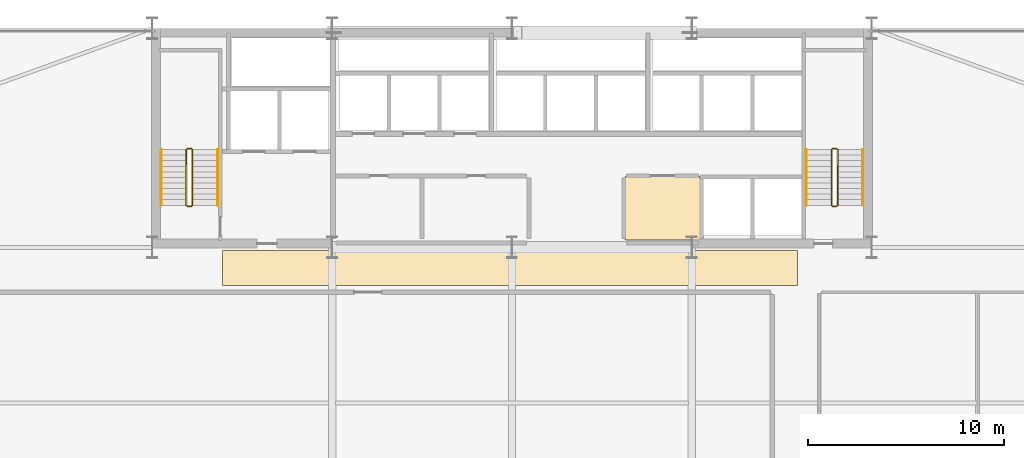
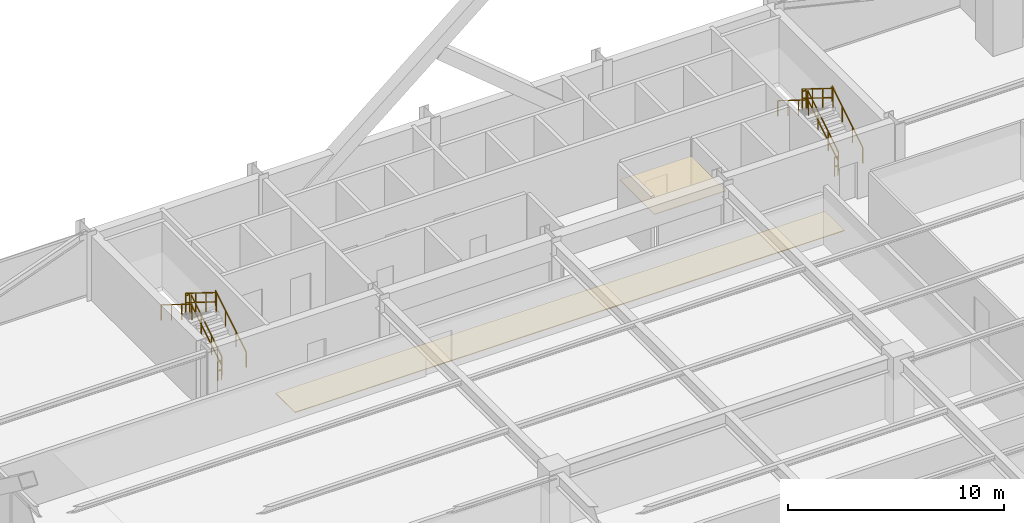
# One storey, part 32 of 32: 12 railings, 2 coverings.
"""IFC4 building model written with IfcOpenShell, lengths in metres."""

from ifc_helpers import new_model, si_unit, direction, frame, origin, origin_2d, place, context, subcontext, project, spatial, polyline, rectangle, outline, extrude, material, layer, layer_set, type_object, element, save


model = new_model("IFC4")

# Units and contexts
model_context = context("Model", 3, precision=1e-05, world=origin(), true_north=direction((0.0, 1.0)))
body_context = subcontext(model_context, "Body", "Model", "MODEL_VIEW")
ifc_project = project(units=[si_unit("LENGTHUNIT", "METRE"), si_unit("AREAUNIT", "SQUARE_METRE"), si_unit("VOLUMEUNIT", "CUBIC_METRE"), si_unit("PLANEANGLEUNIT", "RADIAN"), si_unit("MASSUNIT", "GRAM", prefix="KILO")], contexts=[model_context])

# Site, building, storey
site_placement = place(None, origin())
site = spatial("IfcSite", under=ifc_project, at=site_placement, CompositionType="ELEMENT")
building_placement = place(site_placement, origin())
building = spatial("IfcBuilding", under=site, at=building_placement, Name="Varnel Quay Broadcast Tower", CompositionType="ELEMENT")
storey_placement = place(building_placement, frame((0.0, 0.0, 43.199951171875)))
storey = spatial("IfcBuildingStorey", under=building, at=storey_placement, Name="L09", CompositionType="ELEMENT", Elevation=43.199951171875)

# Coverings
ifc_material_1 = material(Name="Micro-Perforated Acoustic Ceiling Tile")
ifc_layer_1 = layer(ifc_material_1, 0.0400390625, Name="Micro-Perforated Acoustic Ceiling Tile")
ifc_layer_set_1 = layer_set([ifc_layer_1], Name="Micro-Perforated Acoustic Ceiling Tile")
covering_type_1 = type_object("IfcCoveringType", Name="Cov_AcousticCeiling", PredefinedType="CEILING", material=ifc_layer_set_1)
covering_1_placement = place(storey_placement, frame((0.0, 0.0, 2.580078125)))
element("IfcCovering", 1, at=covering_1_placement, inside=storey, type_object=covering_type_1, Name="L09 Electrical Sub-Distribution Closet Acoustic Ceiling", PredefinedType="CEILING", context=body_context, shape_type="SweptSolid", body=[
    extrude(outline(polyline([(39.784912109375, 35.985107421875), (43.614990234375, 35.985107421875), (43.614990234375, 39.215087890625), (39.784912109375, 39.215087890625), (39.784912109375, 35.985107421875)])), origin(), (0.0, 0.0, 1.0), 0.0400390625),
])
ifc_material_2 = material(Name="Polished Terrazzo & Broadcast Raised Flooring")
ifc_layer_2 = layer(ifc_material_2, 0.0400390625, Name="Polished Terrazzo & Broadcast Raised Flooring")
ifc_layer_set_2 = layer_set([ifc_layer_2], Name="Polished Terrazzo & Broadcast Raised Flooring")
covering_type_2 = type_object("IfcCoveringType", Name="Cov_TerrazzoFloor", PredefinedType="FLOORING", material=ifc_layer_set_2)
covering_2_placement = place(storey_placement, origin())
element("IfcCovering", 2, at=covering_2_placement, inside=storey, type_object=covering_type_2, Name="L09 Corridor Terrazzo Flooring", PredefinedType="FLOORING", context=body_context, shape_type="SweptSolid", body=[
    extrude(outline(polyline([(19.199951171875, 33.64990234375), (48.60009765625, 33.64990234375), (48.60009765625, 35.449951171875), (19.199951171875, 35.449951171875), (19.199951171875, 33.64990234375)])), origin(), (0.0, 0.0, 1.0), 0.0400390625),
])

# Railings
ifc_material_3 = material(Name="Painted Steel Guard and Handrail CSA G40.21 350W", Category="steel")
railing_type_1 = type_object("IfcRailingType", Name="Rail_StairGuard1100", PredefinedType="GUARDRAIL", material=ifc_material_3)
railing_1_placement = place(storey_placement, frame((17.64990234375, 37.75, 0.17724609375)))
element("IfcRailing", 3, at=railing_1_placement, inside=storey, type_object=railing_type_1, Name="L09 ST-01 stair guard 1", PredefinedType="GUARDRAIL", context=body_context, shape_type="SweptSolid", body=[
    extrude(rectangle(XDim=0.048095703125, YDim=0.048095703125, at=origin_2d()), frame((0.0, 0.0, 1.076171875), z_axis=(0.0, 0.849148672731, 0.528153890072), x_axis=(-1.0, 0.0, 0.0)), (0.0, 0.0, 1.0), 3.3564453125),
    extrude(rectangle(XDim=0.048095703125, YDim=0.048095703125, at=origin_2d()), frame((0.0, 0.0, 0.550048828125), z_axis=(0.0, 0.849148672731, 0.528153890072), x_axis=(-1.0, 0.0, 0.0)), (0.0, 0.0, 1.0), 3.3564453125),
    extrude(rectangle(XDim=0.0419921875, YDim=0.0419921875, at=origin_2d()), origin(), (0.0, 0.0, 1.0), 1.052001953125),
    extrude(rectangle(XDim=0.0419921875, YDim=0.0419921875, at=origin_2d()), frame((0.0, 0.949951171875, 0.5908203125)), (0.0, 0.0, 1.0), 1.052001953125),
    extrude(rectangle(XDim=0.0419921875, YDim=0.0419921875, at=origin_2d()), frame((0.0, 1.900146484375, 1.181884765625)), (0.0, 0.0, 1.0), 1.052001953125),
    extrude(rectangle(XDim=0.0419921875, YDim=0.0419921875, at=origin_2d()), frame((0.0, 2.85009765625, 1.772705078125)), (0.0, 0.0, 1.0), 1.052001953125),
])
railing_2_placement = place(storey_placement, frame((17.60009765625, 40.64990234375, 1.949951171875)))
element("IfcRailing", 4, at=railing_2_placement, inside=storey, type_object=railing_type_1, Name="L09 ST-01 stair guard 2", PredefinedType="GUARDRAIL", context=body_context, shape_type="SweptSolid", body=[
    extrude(rectangle(XDim=0.048095703125, YDim=0.048095703125, at=origin_2d()), frame((0.0, 0.0, 1.076171875), z_axis=(-1.0, 0.0, 0.0), x_axis=(0.0, -1.0, 0.0)), (0.0, 0.0, 1.0), 0.2001953125),
    extrude(rectangle(XDim=0.048095703125, YDim=0.048095703125, at=origin_2d()), frame((0.0, 0.0, 0.550048828125), z_axis=(-1.0, 0.0, 0.0), x_axis=(0.0, -1.0, 0.0)), (0.0, 0.0, 1.0), 0.2001953125),
    extrude(rectangle(XDim=0.0419921875, YDim=0.0419921875, at=origin_2d()), origin(), (0.0, 0.0, 1.0), 1.052001953125),
    extrude(rectangle(XDim=0.0419921875, YDim=0.0419921875, at=origin_2d()), frame((-0.2001953125, 0.0, 0.0)), (0.0, 0.0, 1.0), 1.052001953125),
])
railing_3_placement = place(storey_placement, frame((17.35009765625, 40.60009765625, 2.12744140625)))
element("IfcRailing", 5, at=railing_3_placement, inside=storey, type_object=railing_type_1, Name="L09 ST-01 stair guard 3", PredefinedType="GUARDRAIL", context=body_context, shape_type="SweptSolid", body=[
    extrude(rectangle(XDim=0.048095703125, YDim=0.048095703125, at=origin_2d()), frame((0.0, 0.0, 1.076171875), z_axis=(0.0, -0.849148672731, 0.528153890072), x_axis=(1.0, 0.0, 0.0)), (0.0, 0.0, 1.0), 3.3564453125),
    extrude(rectangle(XDim=0.048095703125, YDim=0.048095703125, at=origin_2d()), frame((0.0, 0.0, 0.550048828125), z_axis=(0.0, -0.849148672731, 0.528153890072), x_axis=(1.0, 0.0, 0.0)), (0.0, 0.0, 1.0), 3.3564453125),
    extrude(rectangle(XDim=0.0419921875, YDim=0.0419921875, at=origin_2d()), origin(), (0.0, 0.0, 1.0), 1.052001953125),
    extrude(rectangle(XDim=0.0419921875, YDim=0.0419921875, at=origin_2d()), frame((0.0, -0.949951171875, 0.5908203125)), (0.0, 0.0, 1.0), 1.052001953125),
    extrude(rectangle(XDim=0.0419921875, YDim=0.0419921875, at=origin_2d()), frame((0.0, -1.900146484375, 1.181884765625)), (0.0, 0.0, 1.0), 1.052001953125),
    extrude(rectangle(XDim=0.0419921875, YDim=0.0419921875, at=origin_2d()), frame((0.0, -2.85009765625, 1.772705078125)), (0.0, 0.0, 1.0), 1.052001953125),
])
railing_4_placement = place(storey_placement, frame((17.60009765625, 37.699951171875, 0.0)))
element("IfcRailing", 6, at=railing_4_placement, inside=storey, type_object=railing_type_1, Name="L09 ST-01 stair guard 4", PredefinedType="GUARDRAIL", context=body_context, shape_type="SweptSolid", body=[
    extrude(rectangle(XDim=0.048095703125, YDim=0.048095703125, at=origin_2d()), frame((0.0, 0.0, 1.076171875), z_axis=(-1.0, 0.0, 0.0), x_axis=(0.0, -1.0, 0.0)), (0.0, 0.0, 1.0), 0.2001953125),
    extrude(rectangle(XDim=0.048095703125, YDim=0.048095703125, at=origin_2d()), frame((0.0, 0.0, 0.550048828125), z_axis=(-1.0, 0.0, 0.0), x_axis=(0.0, -1.0, 0.0)), (0.0, 0.0, 1.0), 0.2001953125),
    extrude(rectangle(XDim=0.0419921875, YDim=0.0419921875, at=origin_2d()), origin(), (0.0, 0.0, 1.0), 1.052001953125),
    extrude(rectangle(XDim=0.0419921875, YDim=0.0419921875, at=origin_2d()), frame((-0.2001953125, 0.0, 0.0)), (0.0, 0.0, 1.0), 1.052001953125),
])
railing_5_placement = place(storey_placement, frame((50.64990234375, 37.75, 0.17724609375)))
element("IfcRailing", 7, at=railing_5_placement, inside=storey, type_object=railing_type_1, Name="L09 ST-02 stair guard 1", PredefinedType="GUARDRAIL", context=body_context, shape_type="SweptSolid", body=[
    extrude(rectangle(XDim=0.048095703125, YDim=0.048095703125, at=origin_2d()), frame((0.0, 0.0, 1.076171875), z_axis=(0.0, 0.849148672731, 0.528153890072), x_axis=(-1.0, 0.0, 0.0)), (0.0, 0.0, 1.0), 3.3564453125),
    extrude(rectangle(XDim=0.048095703125, YDim=0.048095703125, at=origin_2d()), frame((0.0, 0.0, 0.550048828125), z_axis=(0.0, 0.849148672731, 0.528153890072), x_axis=(-1.0, 0.0, 0.0)), (0.0, 0.0, 1.0), 3.3564453125),
    extrude(rectangle(XDim=0.0419921875, YDim=0.0419921875, at=origin_2d()), origin(), (0.0, 0.0, 1.0), 1.052001953125),
    extrude(rectangle(XDim=0.0419921875, YDim=0.0419921875, at=origin_2d()), frame((0.0, 0.949951171875, 0.5908203125)), (0.0, 0.0, 1.0), 1.052001953125),
    extrude(rectangle(XDim=0.0419921875, YDim=0.0419921875, at=origin_2d()), frame((0.0, 1.900146484375, 1.181884765625)), (0.0, 0.0, 1.0), 1.052001953125),
    extrude(rectangle(XDim=0.0419921875, YDim=0.0419921875, at=origin_2d()), frame((0.0, 2.85009765625, 1.772705078125)), (0.0, 0.0, 1.0), 1.052001953125),
])
railing_6_placement = place(storey_placement, frame((50.60009765625, 40.64990234375, 1.949951171875)))
element("IfcRailing", 8, at=railing_6_placement, inside=storey, type_object=railing_type_1, Name="L09 ST-02 stair guard 2", PredefinedType="GUARDRAIL", context=body_context, shape_type="SweptSolid", body=[
    extrude(rectangle(XDim=0.048095703125, YDim=0.048095703125, at=origin_2d()), frame((0.0, 0.0, 1.076171875), z_axis=(-1.0, 0.0, 0.0), x_axis=(0.0, -1.0, 0.0)), (0.0, 0.0, 1.0), 0.2001953125),
    extrude(rectangle(XDim=0.048095703125, YDim=0.048095703125, at=origin_2d()), frame((0.0, 0.0, 0.550048828125), z_axis=(-1.0, 0.0, 0.0), x_axis=(0.0, -1.0, 0.0)), (0.0, 0.0, 1.0), 0.2001953125),
    extrude(rectangle(XDim=0.0419921875, YDim=0.0419921875, at=origin_2d()), origin(), (0.0, 0.0, 1.0), 1.052001953125),
    extrude(rectangle(XDim=0.0419921875, YDim=0.0419921875, at=origin_2d()), frame((-0.2001953125, 0.0, 0.0)), (0.0, 0.0, 1.0), 1.052001953125),
])
railing_7_placement = place(storey_placement, frame((50.35009765625, 40.60009765625, 2.12744140625)))
element("IfcRailing", 9, at=railing_7_placement, inside=storey, type_object=railing_type_1, Name="L09 ST-02 stair guard 3", PredefinedType="GUARDRAIL", context=body_context, shape_type="SweptSolid", body=[
    extrude(rectangle(XDim=0.048095703125, YDim=0.048095703125, at=origin_2d()), frame((0.0, 0.0, 1.076171875), z_axis=(0.0, -0.849148672731, 0.528153890072), x_axis=(1.0, 0.0, 0.0)), (0.0, 0.0, 1.0), 3.3564453125),
    extrude(rectangle(XDim=0.048095703125, YDim=0.048095703125, at=origin_2d()), frame((0.0, 0.0, 0.550048828125), z_axis=(0.0, -0.849148672731, 0.528153890072), x_axis=(1.0, 0.0, 0.0)), (0.0, 0.0, 1.0), 3.3564453125),
    extrude(rectangle(XDim=0.0419921875, YDim=0.0419921875, at=origin_2d()), origin(), (0.0, 0.0, 1.0), 1.052001953125),
    extrude(rectangle(XDim=0.0419921875, YDim=0.0419921875, at=origin_2d()), frame((0.0, -0.949951171875, 0.5908203125)), (0.0, 0.0, 1.0), 1.052001953125),
    extrude(rectangle(XDim=0.0419921875, YDim=0.0419921875, at=origin_2d()), frame((0.0, -1.900146484375, 1.181884765625)), (0.0, 0.0, 1.0), 1.052001953125),
    extrude(rectangle(XDim=0.0419921875, YDim=0.0419921875, at=origin_2d()), frame((0.0, -2.85009765625, 1.772705078125)), (0.0, 0.0, 1.0), 1.052001953125),
])
railing_8_placement = place(storey_placement, frame((50.60009765625, 37.699951171875, 0.0)))
element("IfcRailing", 10, at=railing_8_placement, inside=storey, type_object=railing_type_1, Name="L09 ST-02 stair guard 4", PredefinedType="GUARDRAIL", context=body_context, shape_type="SweptSolid", body=[
    extrude(rectangle(XDim=0.048095703125, YDim=0.048095703125, at=origin_2d()), frame((0.0, 0.0, 1.076171875), z_axis=(-1.0, 0.0, 0.0), x_axis=(0.0, -1.0, 0.0)), (0.0, 0.0, 1.0), 0.2001953125),
    extrude(rectangle(XDim=0.048095703125, YDim=0.048095703125, at=origin_2d()), frame((0.0, 0.0, 0.550048828125), z_axis=(-1.0, 0.0, 0.0), x_axis=(0.0, -1.0, 0.0)), (0.0, 0.0, 1.0), 0.2001953125),
    extrude(rectangle(XDim=0.0419921875, YDim=0.0419921875, at=origin_2d()), origin(), (0.0, 0.0, 1.0), 1.052001953125),
    extrude(rectangle(XDim=0.0419921875, YDim=0.0419921875, at=origin_2d()), frame((-0.2001953125, 0.0, 0.0)), (0.0, 0.0, 1.0), 1.052001953125),
])
railing_type_2 = type_object("IfcRailingType", Name="Rail_StairHandrail900", PredefinedType="HANDRAIL", material=ifc_material_3)
railing_9_placement = place(storey_placement, frame((18.949951171875, 37.75, 0.17724609375)))
element("IfcRailing", 11, at=railing_9_placement, inside=storey, type_object=railing_type_2, Name="L09 ST-01 stair handrail 1", PredefinedType="HANDRAIL", context=body_context, shape_type="SweptSolid", body=[
    extrude(rectangle(XDim=0.048095703125, YDim=0.048095703125, at=origin_2d()), frame((0.0, 0.0, 0.8759765625), z_axis=(0.0, 0.849148672731, 0.528153890072), x_axis=(-1.0, 0.0, 0.0)), (0.0, 0.0, 1.0), 3.3564453125),
    extrude(rectangle(XDim=0.0419921875, YDim=0.0419921875, at=origin_2d()), origin(), (0.0, 0.0, 1.0), 0.851806640625),
    extrude(rectangle(XDim=0.0419921875, YDim=0.0419921875, at=origin_2d()), frame((0.0, 0.949951171875, 0.5908203125)), (0.0, 0.0, 1.0), 0.851806640625),
    extrude(rectangle(XDim=0.0419921875, YDim=0.0419921875, at=origin_2d()), frame((0.0, 1.900146484375, 1.181884765625)), (0.0, 0.0, 1.0), 0.851806640625),
    extrude(rectangle(XDim=0.0419921875, YDim=0.0419921875, at=origin_2d()), frame((0.0, 2.85009765625, 1.772705078125)), (0.0, 0.0, 1.0), 0.851806640625),
])
railing_10_placement = place(storey_placement, frame((16.050048828125, 40.60009765625, 2.12744140625)))
element("IfcRailing", 12, at=railing_10_placement, inside=storey, type_object=railing_type_2, Name="L09 ST-01 stair handrail 2", PredefinedType="HANDRAIL", context=body_context, shape_type="SweptSolid", body=[
    extrude(rectangle(XDim=0.048095703125, YDim=0.048095703125, at=origin_2d()), frame((0.0, 0.0, 0.8759765625), z_axis=(0.0, -0.849148672731, 0.528153890072), x_axis=(1.0, 0.0, 0.0)), (0.0, 0.0, 1.0), 3.3564453125),
    extrude(rectangle(XDim=0.0419921875, YDim=0.0419921875, at=origin_2d()), origin(), (0.0, 0.0, 1.0), 0.851806640625),
    extrude(rectangle(XDim=0.0419921875, YDim=0.0419921875, at=origin_2d()), frame((0.0, -0.949951171875, 0.5908203125)), (0.0, 0.0, 1.0), 0.851806640625),
    extrude(rectangle(XDim=0.0419921875, YDim=0.0419921875, at=origin_2d()), frame((0.0, -1.900146484375, 1.181884765625)), (0.0, 0.0, 1.0), 0.851806640625),
    extrude(rectangle(XDim=0.0419921875, YDim=0.0419921875, at=origin_2d()), frame((0.0, -2.85009765625, 1.772705078125)), (0.0, 0.0, 1.0), 0.851806640625),
])
railing_11_placement = place(storey_placement, frame((51.949951171875, 37.75, 0.17724609375)))
element("IfcRailing", 13, at=railing_11_placement, inside=storey, type_object=railing_type_2, Name="L09 ST-02 stair handrail 1", PredefinedType="HANDRAIL", context=body_context, shape_type="SweptSolid", body=[
    extrude(rectangle(XDim=0.048095703125, YDim=0.048095703125, at=origin_2d()), frame((0.0, 0.0, 0.8759765625), z_axis=(0.0, 0.849148672731, 0.528153890072), x_axis=(-1.0, 0.0, 0.0)), (0.0, 0.0, 1.0), 3.3564453125),
    extrude(rectangle(XDim=0.0419921875, YDim=0.0419921875, at=origin_2d()), origin(), (0.0, 0.0, 1.0), 0.851806640625),
    extrude(rectangle(XDim=0.0419921875, YDim=0.0419921875, at=origin_2d()), frame((0.0, 0.949951171875, 0.5908203125)), (0.0, 0.0, 1.0), 0.851806640625),
    extrude(rectangle(XDim=0.0419921875, YDim=0.0419921875, at=origin_2d()), frame((0.0, 1.900146484375, 1.181884765625)), (0.0, 0.0, 1.0), 0.851806640625),
    extrude(rectangle(XDim=0.0419921875, YDim=0.0419921875, at=origin_2d()), frame((0.0, 2.85009765625, 1.772705078125)), (0.0, 0.0, 1.0), 0.851806640625),
])
railing_12_placement = place(storey_placement, frame((49.050048828125, 40.60009765625, 2.12744140625)))
element("IfcRailing", 14, at=railing_12_placement, inside=storey, type_object=railing_type_2, Name="L09 ST-02 stair handrail 2", PredefinedType="HANDRAIL", context=body_context, shape_type="SweptSolid", body=[
    extrude(rectangle(XDim=0.048095703125, YDim=0.048095703125, at=origin_2d()), frame((0.0, 0.0, 0.8759765625), z_axis=(0.0, -0.849148672731, 0.528153890072), x_axis=(1.0, 0.0, 0.0)), (0.0, 0.0, 1.0), 3.3564453125),
    extrude(rectangle(XDim=0.0419921875, YDim=0.0419921875, at=origin_2d()), origin(), (0.0, 0.0, 1.0), 0.851806640625),
    extrude(rectangle(XDim=0.0419921875, YDim=0.0419921875, at=origin_2d()), frame((0.0, -0.949951171875, 0.5908203125)), (0.0, 0.0, 1.0), 0.851806640625),
    extrude(rectangle(XDim=0.0419921875, YDim=0.0419921875, at=origin_2d()), frame((0.0, -1.900146484375, 1.181884765625)), (0.0, 0.0, 1.0), 0.851806640625),
    extrude(rectangle(XDim=0.0419921875, YDim=0.0419921875, at=origin_2d()), frame((0.0, -2.85009765625, 1.772705078125)), (0.0, 0.0, 1.0), 0.851806640625),
])

save(model, "model.ifc")
